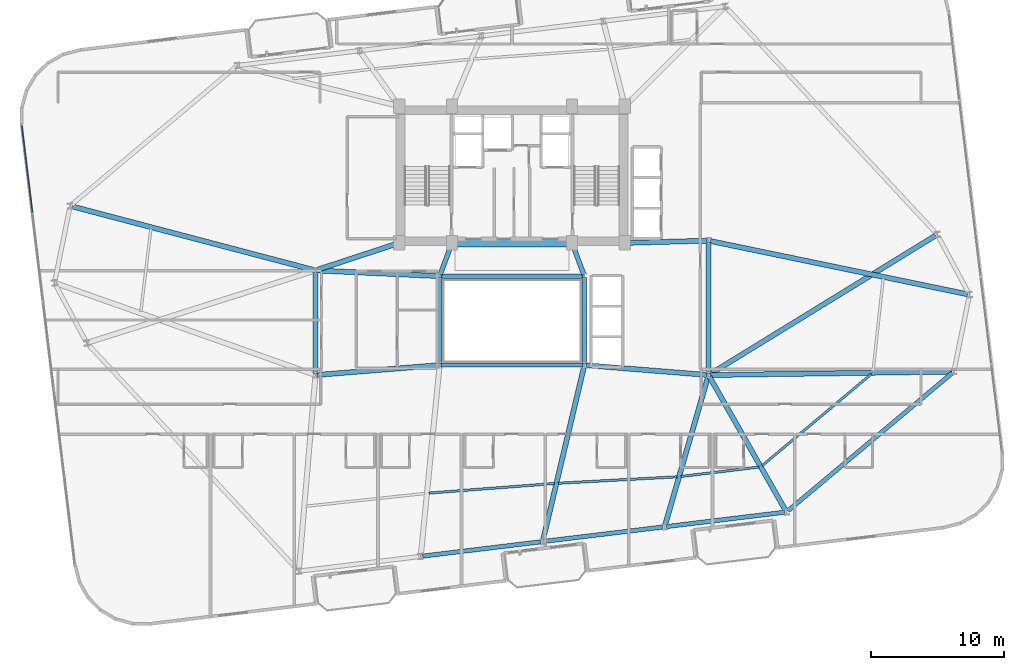
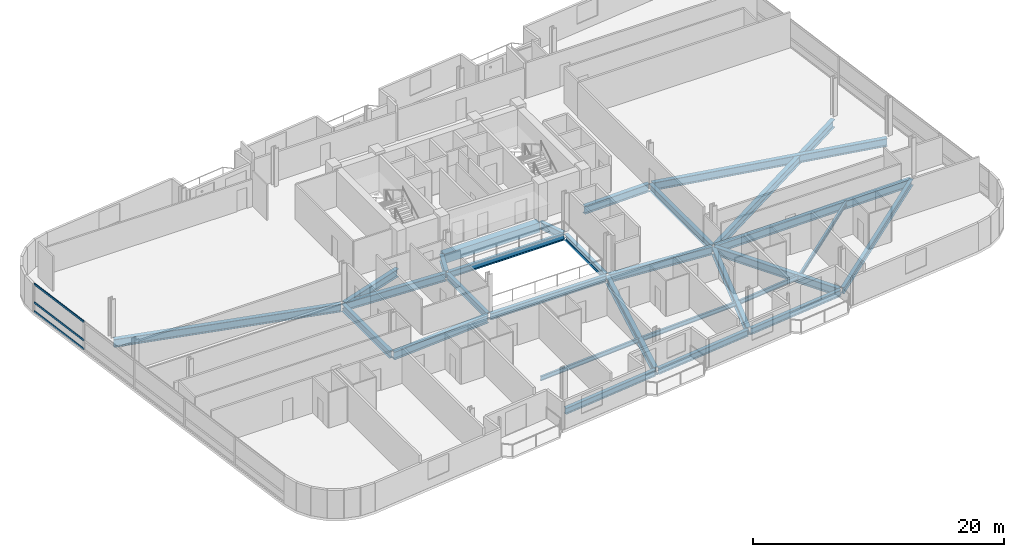
# One storey, part 7 of 23: 29 beams, 3 members, 1 element without a shape of its own.
"""IFC4 building model written with IfcOpenShell, lengths in metres."""

from ifc_helpers import new_model, si_unit, direction, frame, origin, origin_2d, place, context, subcontext, project, spatial, rectangle, hollow_rectangle, i_section, extrude, material, layer, layer_set, material_profile, profile_set, type_object, element, aggregate, save


model = new_model("IFC4")

# Units and contexts
model_context = context("Model", 3, precision=1e-05, world=origin(), true_north=direction((0.0, 1.0)))
body_context = subcontext(model_context, "Body", "Model", "MODEL_VIEW")
ifc_project = project(units=[si_unit("LENGTHUNIT", "METRE"), si_unit("AREAUNIT", "SQUARE_METRE"), si_unit("VOLUMEUNIT", "CUBIC_METRE"), si_unit("PLANEANGLEUNIT", "RADIAN"), si_unit("MASSUNIT", "GRAM", prefix="KILO")], contexts=[model_context])

# Site, building, storey
site_placement = place(None, origin())
site = spatial("IfcSite", under=ifc_project, at=site_placement, CompositionType="ELEMENT")
building_placement = place(site_placement, origin())
building = spatial("IfcBuilding", under=site, at=building_placement, Name="Varnelok Gate Tower", CompositionType="ELEMENT")
storey_placement = place(building_placement, frame((0.0, 0.0, 200.5)))
storey = spatial("IfcBuildingStorey", under=building, at=storey_placement, Name="L51", CompositionType="ELEMENT", Elevation=200.5)

# Beams
ifc_material_1 = material(Name="Structural Steel ASTM A992 Grade 50", Category="steel")
ifc_material_profile_1 = material_profile(ifc_material_1, i_section(OverallWidth=0.180908203125, OverallDepth=0.4169921875, WebThickness=0.010986328125, FlangeThickness=0.018310546875, FilletRadius=0.013916015625, at=origin_2d()), Name="W16X57")
ifc_profile_set_1 = profile_set([ifc_material_profile_1], Name="Structural Steel ASTM A992 Grade 50")
beam_type_1 = type_object("IfcBeamType", Name="BM-JST-W16X57", PredefinedType="JOIST", material=ifc_profile_set_1)
beam_1_placement = place(storey_placement, frame((32.93505859375, 9.91015625, -0.45849609375), z_axis=(0.997087655852, 0.076264058027, 0.0), x_axis=(-0.076264058027, 0.997087655852, 0.0)))
element("IfcBeam", 1, at=beam_1_placement, inside=storey, type_object=beam_type_1, Name="L51 Sector Floor Joist 2", PredefinedType="JOIST", context=body_context, shape_type="SweptSolid", body=[
    extrude(i_section(OverallWidth=0.180908203125, OverallDepth=0.4169921875, WebThickness=0.010986328125, FlangeThickness=0.018310546875, FilletRadius=0.013916015625, at=origin_2d()), origin(), (0.0, 0.0, 1.0), 9.498046875),
])
beam_2_placement = place(storey_placement, frame((42.684814453125, 10.65283203125, -0.45849609375), z_axis=(0.998548806547, 0.053854256504, 0.0), x_axis=(-0.053854256504, 0.998548806547, 0.0)))
element("IfcBeam", 2, at=beam_2_placement, inside=storey, type_object=beam_type_1, Name="L51 Sector Floor Joist 3", PredefinedType="JOIST", context=body_context, shape_type="SweptSolid", body=[
    extrude(i_section(OverallWidth=0.180908203125, OverallDepth=0.4169921875, WebThickness=0.010986328125, FlangeThickness=0.018310546875, FilletRadius=0.013916015625, at=origin_2d()), origin(), (0.0, 0.0, 1.0), 8.971435546875),
])
beam_3_placement = place(storey_placement, frame((51.922119140625, 11.160400390625, -0.45849609375), z_axis=(0.992731242801, 0.120352314337, 0.0), x_axis=(-0.120352314337, 0.992731242801, 0.0)))
element("IfcBeam", 3, at=beam_3_placement, inside=storey, type_object=beam_type_1, Name="L51 Sector Floor Joist 4", PredefinedType="JOIST", context=body_context, shape_type="SweptSolid", body=[
    extrude(i_section(OverallWidth=0.180908203125, OverallDepth=0.4169921875, WebThickness=0.010986328125, FlangeThickness=0.018310546875, FilletRadius=0.013916015625, at=origin_2d()), origin(), (0.0, 0.0, 1.0), 5.917236328125),
])
beam_4_placement = place(storey_placement, frame((58.042724609375, 11.9794921875, -0.45849609375), z_axis=(0.76609334983, 0.642729320434, 0.0), x_axis=(-0.642729320434, 0.76609334983, 0.0)))
element("IfcBeam", 4, at=beam_4_placement, inside=storey, type_object=beam_type_1, Name="L51 Sector Floor Joist 5", PredefinedType="JOIST", context=body_context, shape_type="SweptSolid", body=[
    extrude(i_section(OverallWidth=0.180908203125, OverallDepth=0.4169921875, WebThickness=0.010986328125, FlangeThickness=0.018310546875, FilletRadius=0.013916015625, at=origin_2d()), origin(), (0.0, 0.0, 1.0), 10.7421875),
])
ifc_material_2 = material(Name="Concrete C60/75", Category="concrete")
ifc_material_profile_2 = material_profile(ifc_material_2, rectangle(XDim=0.60009765625, YDim=0.949951171875, at=origin_2d()), Name="RC950X600")
ifc_profile_set_2 = profile_set([ifc_material_profile_2], Name="Concrete C60/75")
beam_type_2 = type_object("IfcBeamType", Name="BM-LNT-RC950", PredefinedType="LINTEL", material=ifc_profile_set_2)
beam_5_placement = place(storey_placement, frame((34.800048828125, 28.75, -0.72509765625), z_axis=(1.0, 0.0, 0.0), x_axis=(0.0, 1.0, 0.0)))
element("IfcBeam", 5, at=beam_5_placement, inside=storey, type_object=beam_type_2, Name="L51 Core-Atrium Spine Beam 7", PredefinedType="LINTEL", context=body_context, shape_type="SweptSolid", body=[
    extrude(rectangle(XDim=0.60009765625, YDim=0.949951171875, at=origin_2d()), origin(), (0.0, 0.0, 1.0), 8.800048828125),
])
ifc_material_profile_3 = material_profile(ifc_material_1, i_section(OverallWidth=0.35498046875, OverallDepth=0.696044921875, WebThickness=0.015380859375, FlangeThickness=0.02490234375, FilletRadius=0.02001953125, at=origin_2d()), Name="W27X146")
ifc_profile_set_3 = profile_set([ifc_material_profile_3], Name="Structural Steel ASTM A992 Grade 50")
beam_type_3 = type_object("IfcBeamType", Name="BM-PRI-W27X146", PredefinedType="BEAM", material=ifc_profile_set_3)
for number, where, z_axis, x_axis, name in (
    (6, (33.791748046875, 26.362548828125, -0.597900390625), (0.348719329408, 0.937227202602, 0.0), (-0.937227202602, 0.348719329408, 0.0), "L51 Core-Atrium Spine Beam 12"),
    (7, (44.608154296875, 26.362548828125, -0.597900390625), (-0.348719329408, 0.937227202602, 0.0), (-0.937227202602, -0.348719329408, 0.0), "L51 Core-Atrium Spine Beam 13"),
):
    element("IfcBeam", number, at=place(storey_placement, frame(where, z_axis=z_axis, x_axis=x_axis)), inside=storey, type_object=beam_type_3, Name=name, PredefinedType="BEAM", context=body_context, shape_type="SweptSolid", body=[
        extrude(i_section(OverallWidth=0.35498046875, OverallDepth=0.696044921875, WebThickness=0.015380859375, FlangeThickness=0.02490234375, FilletRadius=0.02001953125, at=origin_2d()), origin(), (0.0, 0.0, 1.0), 2.42724609375),
    ])
beam_6_placement = place(storey_placement, frame((24.39990234375, 18.919921875, -0.597900390625), z_axis=(0.0, 1.0, 0.0), x_axis=(-1.0, 0.0, 0.0)))
element("IfcBeam", 8, at=beam_6_placement, inside=storey, type_object=beam_type_3, Name="L51 Core-Atrium Spine Beam 16", PredefinedType="BEAM", context=body_context, shape_type="SweptSolid", body=[
    extrude(i_section(OverallWidth=0.35498046875, OverallDepth=0.696044921875, WebThickness=0.015380859375, FlangeThickness=0.02490234375, FilletRadius=0.02001953125, at=origin_2d()), origin(), (0.0, 0.0, 1.0), 7.64013671875),
])
beam_7_placement = place(storey_placement, frame((54.0, 18.919921875, -0.597900390625), z_axis=(0.0, 1.0, 0.0), x_axis=(-1.0, 0.0, 0.0)))
element("IfcBeam", 9, at=beam_7_placement, inside=storey, type_object=beam_type_3, Name="L51 Core-Atrium Spine Beam 20", PredefinedType="BEAM", context=body_context, shape_type="SweptSolid", body=[
    extrude(i_section(OverallWidth=0.35498046875, OverallDepth=0.696044921875, WebThickness=0.015380859375, FlangeThickness=0.02490234375, FilletRadius=0.02001953125, at=origin_2d()), origin(), (0.0, 0.0, 1.0), 9.880126953125),
])
ifc_material_profile_4 = material_profile(ifc_material_1, i_section(OverallWidth=0.381103515625, OverallDepth=0.77294921875, WebThickness=0.0166015625, FlangeThickness=0.027099609375, FilletRadius=0.02197265625, at=origin_2d()), Name="W30X173")
ifc_profile_set_4 = profile_set([ifc_material_profile_4], Name="Structural Steel ASTM A992 Grade 50")
beam_type_4 = type_object("IfcBeamType", Name="BM-PRI-W30X173", PredefinedType="BEAM", material=ifc_profile_set_4)
beam_8_placement = place(storey_placement, frame((24.51953125, 18.8095703125, -0.636474609375), z_axis=(0.996799206292, 0.07994587128, 0.0), x_axis=(-0.07994587128, 0.996799206292, 0.0)))
element("IfcBeam", 10, at=beam_8_placement, inside=storey, type_object=beam_type_4, Name="L51 Core-Atrium Spine Beam 14", PredefinedType="BEAM", context=body_context, shape_type="SweptSolid", body=[
    extrude(i_section(OverallWidth=0.381103515625, OverallDepth=0.77294921875, WebThickness=0.0166015625, FlangeThickness=0.027099609375, FilletRadius=0.02197265625, at=origin_2d()), origin(), (0.0, 0.0, 1.0), 9.14013671875),
])
beam_9_placement = place(storey_placement, frame((24.52001953125, 26.674560546875, -0.636474609375), z_axis=(0.99894427814, -0.045938319209, 0.0), x_axis=(0.045938319209, 0.99894427814, 0.0)))
element("IfcBeam", 11, at=beam_9_placement, inside=storey, type_object=beam_type_4, Name="L51 Core-Atrium Spine Beam 15", PredefinedType="BEAM", context=body_context, shape_type="SweptSolid", body=[
    extrude(i_section(OverallWidth=0.381103515625, OverallDepth=0.77294921875, WebThickness=0.0166015625, FlangeThickness=0.027099609375, FilletRadius=0.02197265625, at=origin_2d()), origin(), (0.0, 0.0, 1.0), 9.11962890625),
])
beam_10_placement = place(storey_placement, frame((24.513916015625, 26.717529296875, -0.636474609375), z_axis=(0.950041943788, 0.312122259768, 0.0), x_axis=(-0.312122259768, 0.950041943788, 0.0)))
element("IfcBeam", 12, at=beam_10_placement, inside=storey, type_object=beam_type_4, Name="L51 Core-Atrium Spine Beam 17", PredefinedType="BEAM", context=body_context, shape_type="SweptSolid", body=[
    extrude(i_section(OverallWidth=0.381103515625, OverallDepth=0.77294921875, WebThickness=0.0166015625, FlangeThickness=0.027099609375, FilletRadius=0.02197265625, at=origin_2d()), origin(), (0.0, 0.0, 1.0), 6.391357421875),
])
beam_11_placement = place(storey_placement, frame((44.76953125, 19.540283203125, -0.636474609375), z_axis=(0.996799206292, -0.07994587128, 0.0), x_axis=(0.07994587128, 0.996799206292, 0.0)))
element("IfcBeam", 13, at=beam_11_placement, inside=storey, type_object=beam_type_4, Name="L51 Core-Atrium Spine Beam 18", PredefinedType="BEAM", context=body_context, shape_type="SweptSolid", body=[
    extrude(i_section(OverallWidth=0.381103515625, OverallDepth=0.77294921875, WebThickness=0.0166015625, FlangeThickness=0.027099609375, FilletRadius=0.02197265625, at=origin_2d()), origin(), (0.0, 0.0, 1.0), 9.14013671875),
])
beam_12_placement = place(storey_placement, frame((47.820068359375, 28.753173828125, -0.636474609375), z_axis=(0.999635880609, 0.026983443053, 0.0), x_axis=(-0.026983443053, 0.999635880609, 0.0)))
element("IfcBeam", 14, at=beam_12_placement, inside=storey, type_object=beam_type_4, Name="L51 Core-Atrium Spine Beam 19", PredefinedType="BEAM", context=body_context, shape_type="SweptSolid", body=[
    extrude(i_section(OverallWidth=0.381103515625, OverallDepth=0.77294921875, WebThickness=0.0166015625, FlangeThickness=0.027099609375, FilletRadius=0.02197265625, at=origin_2d()), origin(), (0.0, 0.0, 1.0), 6.06201171875),
])
beam_13_placement = place(storey_placement, frame((44.615478515625, 19.404052734375, -0.636474609375), z_axis=(-0.230051892852, -0.973178363197, 0.0), x_axis=(0.973178363197, -0.230051892852, 0.0)))
element("IfcBeam", 15, at=beam_13_placement, inside=storey, type_object=beam_type_4, Name="L51 Radial Floor Girder 3", PredefinedType="BEAM", context=body_context, shape_type="SweptSolid", body=[
    extrude(i_section(OverallWidth=0.381103515625, OverallDepth=0.77294921875, WebThickness=0.0166015625, FlangeThickness=0.027099609375, FilletRadius=0.02197265625, at=origin_2d()), origin(), (0.0, 0.0, 1.0), 13.356689453125),
])
beam_14_placement = place(storey_placement, frame((53.958251953125, 18.656005859375, -0.636474609375), z_axis=(-0.278139351158, -0.960540733825, 0.0), x_axis=(0.960540733825, -0.278139351158, 0.0)))
element("IfcBeam", 16, at=beam_14_placement, inside=storey, type_object=beam_type_4, Name="L51 Radial Floor Girder 4", PredefinedType="BEAM", context=body_context, shape_type="SweptSolid", body=[
    extrude(i_section(OverallWidth=0.381103515625, OverallDepth=0.77294921875, WebThickness=0.0166015625, FlangeThickness=0.027099609375, FilletRadius=0.02197265625, at=origin_2d()), origin(), (0.0, 0.0, 1.0), 11.596923828125),
])
beam_15_placement = place(storey_placement, frame((54.07421875, 18.669677734375, -0.636474609375), z_axis=(0.494868053933, -0.868968128988, 0.0), x_axis=(0.868968128988, 0.494868053933, 0.0)))
element("IfcBeam", 17, at=beam_15_placement, inside=storey, type_object=beam_type_4, Name="L51 Radial Floor Girder 5", PredefinedType="BEAM", context=body_context, shape_type="SweptSolid", body=[
    extrude(i_section(OverallWidth=0.381103515625, OverallDepth=0.77294921875, WebThickness=0.0166015625, FlangeThickness=0.027099609375, FilletRadius=0.02197265625, at=origin_2d()), origin(), (0.0, 0.0, 1.0), 11.5693359375),
])
beam_16_placement = place(storey_placement, frame((54.14990234375, 18.802001953125, -0.636474609375), z_axis=(0.999901514109, 0.014034318056, 0.0), x_axis=(-0.014034318056, 0.999901514109, 0.0)))
element("IfcBeam", 18, at=beam_16_placement, inside=storey, type_object=beam_type_4, Name="L51 Radial Floor Girder 6", PredefinedType="BEAM", context=body_context, shape_type="SweptSolid", body=[
    extrude(i_section(OverallWidth=0.381103515625, OverallDepth=0.77294921875, WebThickness=0.0166015625, FlangeThickness=0.027099609375, FilletRadius=0.02197265625, at=origin_2d()), origin(), (0.0, 0.0, 1.0), 18.1787109375),
])
beam_17_placement = place(storey_placement, frame((54.14697265625, 28.8896484375, -0.636474609375), z_axis=(0.979255265667, -0.202630512665, 0.0), x_axis=(0.202630512665, 0.979255265667, 0.0)))
element("IfcBeam", 19, at=beam_17_placement, inside=storey, type_object=beam_type_4, Name="L51 Radial Floor Girder 7", PredefinedType="BEAM", context=body_context, shape_type="SweptSolid", body=[
    extrude(i_section(OverallWidth=0.381103515625, OverallDepth=0.77294921875, WebThickness=0.0166015625, FlangeThickness=0.027099609375, FilletRadius=0.02197265625, at=origin_2d()), origin(), (0.0, 0.0, 1.0), 19.7705078125),
])
beam_18_placement = place(storey_placement, frame((54.127685546875, 18.87841796875, -0.636474609375), z_axis=(0.852014595228, 0.523518031703, 0.0), x_axis=(-0.523518031703, 0.852014595228, 0.0)))
element("IfcBeam", 20, at=beam_18_placement, inside=storey, type_object=beam_type_4, Name="L51 Radial Floor Girder 8", PredefinedType="BEAM", context=body_context, shape_type="SweptSolid", body=[
    extrude(i_section(OverallWidth=0.381103515625, OverallDepth=0.77294921875, WebThickness=0.0166015625, FlangeThickness=0.027099609375, FilletRadius=0.02197265625, at=origin_2d()), origin(), (0.0, 0.0, 1.0), 19.917236328125),
])
beam_19_placement = place(storey_placement, frame((24.2548828125, 26.71826171875, -0.636474609375), z_axis=(-0.967098244451, 0.254403194908, 0.0), x_axis=(-0.254403194908, -0.967098244451, 0.0)))
element("IfcBeam", 21, at=beam_19_placement, inside=storey, type_object=beam_type_4, Name="L51 Radial Floor Girder 14", PredefinedType="BEAM", context=body_context, shape_type="SweptSolid", body=[
    extrude(i_section(OverallWidth=0.381103515625, OverallDepth=0.77294921875, WebThickness=0.0166015625, FlangeThickness=0.027099609375, FilletRadius=0.02197265625, at=origin_2d()), origin(), (0.0, 0.0, 1.0), 18.805419921875),
])
ifc_material_profile_5 = material_profile(ifc_material_1, i_section(OverallWidth=0.323974609375, OverallDepth=0.611083984375, WebThickness=0.0126953125, FlangeThickness=0.01904296875, FilletRadius=0.01806640625, at=origin_2d()), Name="W24X104")
ifc_profile_set_5 = profile_set([ifc_material_profile_5], Name="Structural Steel ASTM A992 Grade 50")
beam_type_5 = type_object("IfcBeamType", Name="BM-SPN-W24X104", PredefinedType="SPANDREL", material=ifc_profile_set_5)
for number, where, z_axis, x_axis, name in (
    (22, (33.8701171875, 19.550048828125, -0.555419921875), (1.0, 0.0, 0.0), (0.0, 1.0, 0.0), "L51 Core-Atrium Spine Beam 8"),
    (23, (33.8701171875, 26.25, -0.555419921875), (1.0, 0.0, 0.0), (0.0, 1.0, 0.0), "L51 Core-Atrium Spine Beam 9"),
):
    element("IfcBeam", number, at=place(storey_placement, frame(where, z_axis=z_axis, x_axis=x_axis)), inside=storey, type_object=beam_type_5, Name=name, PredefinedType="SPANDREL", context=body_context, shape_type="SweptSolid", body=[
        extrude(i_section(OverallWidth=0.323974609375, OverallDepth=0.611083984375, WebThickness=0.0126953125, FlangeThickness=0.01904296875, FilletRadius=0.01806640625, at=origin_2d()), origin(), (0.0, 0.0, 1.0), 10.659912109375),
    ])
for number, where, z_axis, x_axis, name in (
    (24, (33.75, 19.669921875, -0.555419921875), (0.0, 1.0, 0.0), (-1.0, 0.0, 0.0), "L51 Core-Atrium Spine Beam 10"),
    (25, (44.64990234375, 19.669921875, -0.555419921875), (0.0, 1.0, 0.0), (-1.0, 0.0, 0.0), "L51 Core-Atrium Spine Beam 11"),
):
    element("IfcBeam", number, at=place(storey_placement, frame(where, z_axis=z_axis, x_axis=x_axis)), inside=storey, type_object=beam_type_5, Name=name, PredefinedType="SPANDREL", context=body_context, shape_type="SweptSolid", body=[
        extrude(i_section(OverallWidth=0.323974609375, OverallDepth=0.611083984375, WebThickness=0.0126953125, FlangeThickness=0.01904296875, FilletRadius=0.01806640625, at=origin_2d()), origin(), (0.0, 0.0, 1.0), 6.4599609375),
    ])
for number, where, z_axis, x_axis, name in (
    (26, (32.474365234375, 5.164306640625, -0.555419921875), (0.992734670707, 0.120324035735, 0.0), (-0.120324035735, 0.992734670707, 0.0), "L51 Perimeter Spandrel Beam 2"),
    (27, (41.656982421875, 6.277587890625, -0.555419921875), (0.992734670707, 0.120324035735, 0.0), (-0.120324035735, 0.992734670707, 0.0), "L51 Perimeter Spandrel Beam 3"),
    (28, (50.83984375, 7.390625, -0.555419921875), (0.99273141198, 0.120350918849, 0.0), (-0.120350918849, 0.99273141198, 0.0), "L51 Perimeter Spandrel Beam 4"),
):
    element("IfcBeam", number, at=place(storey_placement, frame(where, z_axis=z_axis, x_axis=x_axis)), inside=storey, type_object=beam_type_5, Name=name, PredefinedType="SPANDREL", context=body_context, shape_type="SweptSolid", body=[
        extrude(i_section(OverallWidth=0.323974609375, OverallDepth=0.611083984375, WebThickness=0.0126953125, FlangeThickness=0.01904296875, FilletRadius=0.01806640625, at=origin_2d()), origin(), (0.0, 0.0, 1.0), 8.949951171875),
    ])
beam_20_placement = place(storey_placement, frame((59.98876953125, 8.582275390625, -0.555419921875), z_axis=(0.766099582792, 0.642721891059, 0.0), x_axis=(-0.642721891059, 0.766099582792, 0.0)))
element("IfcBeam", 29, at=beam_20_placement, inside=storey, type_object=beam_type_5, Name="L51 Perimeter Spandrel Beam 5", PredefinedType="SPANDREL", context=body_context, shape_type="SweptSolid", body=[
    extrude(i_section(OverallWidth=0.323974609375, OverallDepth=0.611083984375, WebThickness=0.0126953125, FlangeThickness=0.01904296875, FilletRadius=0.01806640625, at=origin_2d()), origin(), (0.0, 0.0, 1.0), 16.151123046875),
])

# Curtain wall, members
ifc_material_3 = material(Name="Anodized Aluminum Alloy 6063-T6", Category="aluminium")
ifc_layer = layer(ifc_material_3, 0.179931640625)
ifc_layer_set = layer_set([ifc_layer], Name="Anodized Aluminum Alloy 6063-T6")
curtain_wall_type = type_object("IfcCurtainWallType", Name="CW4-RESIDENCE-VISION", PredefinedType="USERDEFINED", material=ifc_layer_set)
curtain_wall_placement = place(storey_placement, origin())
curtain_wall = element("IfcCurtainWall", 30, at=curtain_wall_placement, inside=storey, type_object=curtain_wall_type, Name="L51 West End Vision Curtain Wall", ObjectType="UNITISED CURTAIN WALL", PredefinedType="USERDEFINED")
ifc_material_profile_6 = material_profile(ifc_material_3, hollow_rectangle(XDim=0.074951171875, YDim=0.199951171875, WallThickness=0.00390625, at=origin_2d()), Name="ALU200X75X4")
ifc_profile_set_6 = profile_set([ifc_material_profile_6], Name="Anodized Aluminum Alloy 6063-T6")
member_type = type_object("IfcMemberType", Name="CW-TRAN-200", PredefinedType="USERDEFINED", material=ifc_profile_set_6)
member_1_placement = place(storey_placement, frame((3.085205078125, 31.052978515625, 0.03759765625), z_axis=(-0.120332477695, 0.992733647466, 0.0), x_axis=(-0.992733647466, -0.120332477695, 0.0)))
member_1 = element("IfcMember", 31, at=member_1_placement, type_object=member_type, Name="CW4 transom 5.1", ObjectType="TRANSOM", PredefinedType="USERDEFINED", context=body_context, shape_type="SweptSolid", body=[
    extrude(hollow_rectangle(XDim=0.074951171875, YDim=0.199951171875, WallThickness=0.00390625, at=origin_2d()), origin(), (0.0, 0.0, 1.0), 6.5673828125),
])
member_2_placement = place(storey_placement, frame((3.085205078125, 31.052978515625, 0.89990234375), z_axis=(-0.120332477695, 0.992733647466, 0.0), x_axis=(-0.992733647466, -0.120332477695, 0.0)))
member_2 = element("IfcMember", 32, at=member_2_placement, type_object=member_type, Name="CW4 transom 5.2", ObjectType="TRANSOM", PredefinedType="USERDEFINED", context=body_context, shape_type="SweptSolid", body=[
    extrude(hollow_rectangle(XDim=0.074951171875, YDim=0.199951171875, WallThickness=0.00390625, at=origin_2d()), origin(), (0.0, 0.0, 1.0), 6.5673828125),
])
member_3_placement = place(storey_placement, frame((3.085205078125, 31.052978515625, 2.6923828125), z_axis=(-0.120332477695, 0.992733647466, 0.0), x_axis=(-0.992733647466, -0.120332477695, 0.0)))
member_3 = element("IfcMember", 33, at=member_3_placement, type_object=member_type, Name="CW4 transom 5.3", ObjectType="TRANSOM", PredefinedType="USERDEFINED", context=body_context, shape_type="SweptSolid", body=[
    extrude(hollow_rectangle(XDim=0.074951171875, YDim=0.199951171875, WallThickness=0.00390625, at=origin_2d()), origin(), (0.0, 0.0, 1.0), 6.5673828125),
])
aggregate(curtain_wall, [member_1, member_2, member_3])

save(model, "model.ifc")
